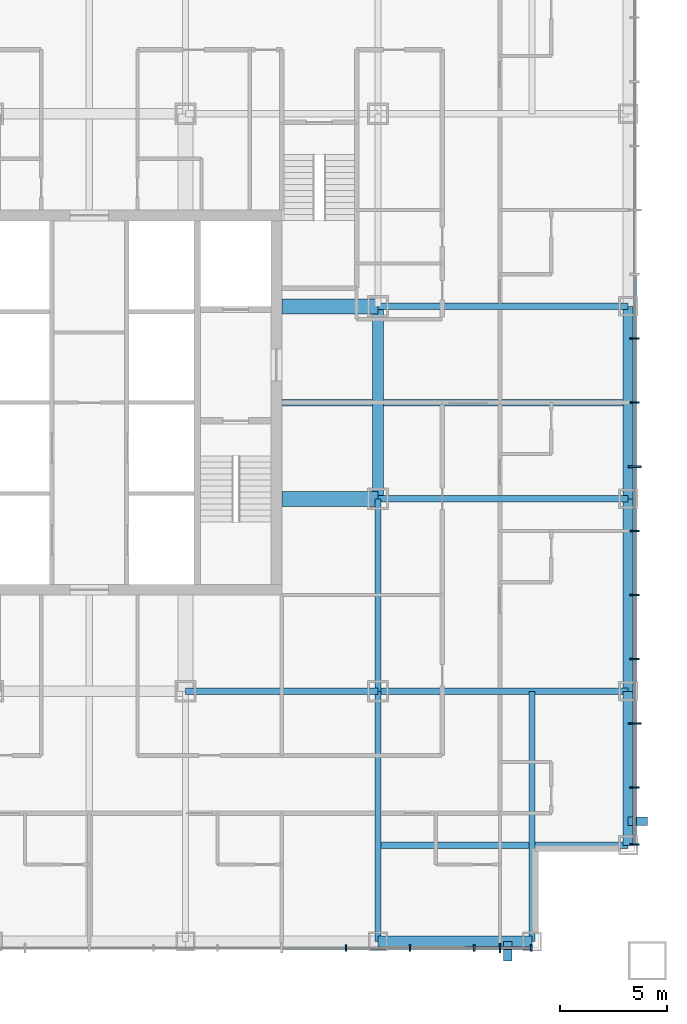
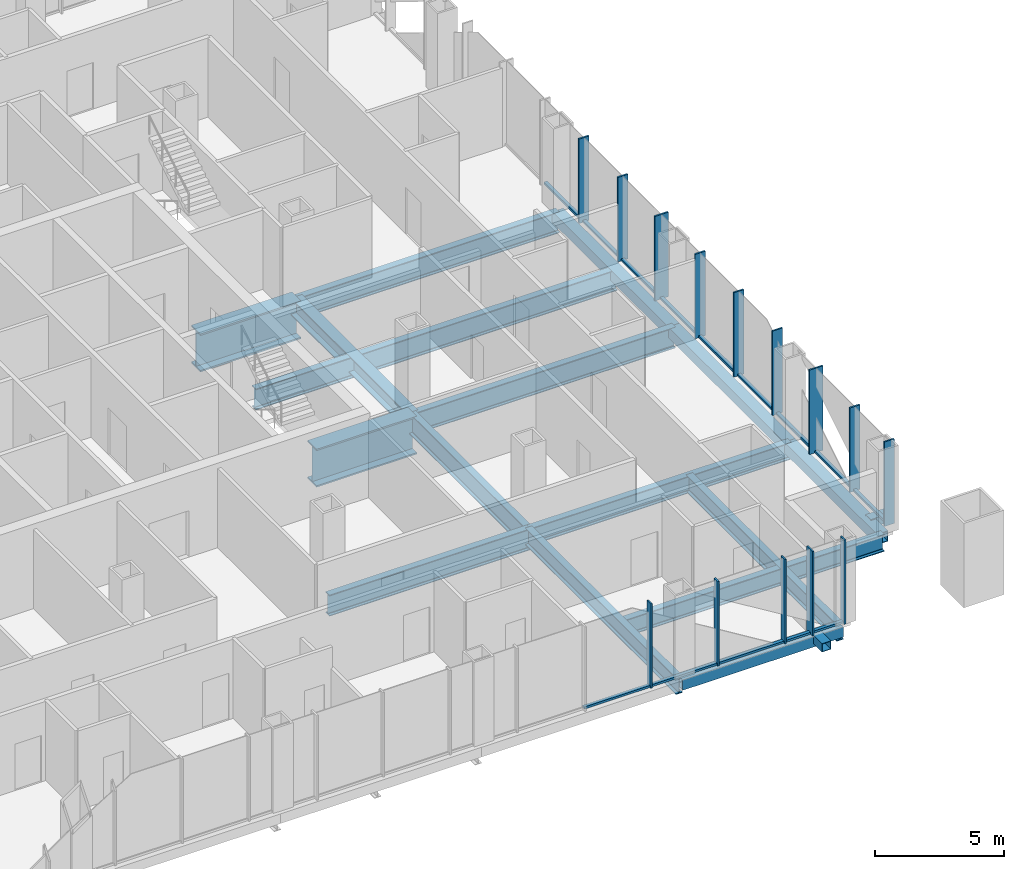
# One storey, part 3 of 13: 30 members, 16 beams, 2 elements without a shape of their own.
"""IFC4 building model written with IfcOpenShell, lengths in metres."""

from ifc_helpers import new_model, si_unit, direction, frame, origin, origin_2d, place, context, subcontext, project, spatial, rectangle, hollow_rectangle, i_section, extrude, material, layer, layer_set, material_profile, profile_set, type_object, element, aggregate, save


model = new_model("IFC4")

# Units and contexts
model_context = context("Model", 3, precision=1e-05, world=origin(), true_north=direction((0.0, 1.0)))
body_context = subcontext(model_context, "Body", "Model", "MODEL_VIEW")
ifc_project = project(units=[si_unit("LENGTHUNIT", "METRE"), si_unit("AREAUNIT", "SQUARE_METRE"), si_unit("VOLUMEUNIT", "CUBIC_METRE"), si_unit("PLANEANGLEUNIT", "RADIAN"), si_unit("MASSUNIT", "GRAM", prefix="KILO")], contexts=[model_context])

# Site, building, storey
site_placement = place(None, origin())
site = spatial("IfcSite", under=ifc_project, at=site_placement, CompositionType="ELEMENT")
building_placement = place(site_placement, origin())
building = spatial("IfcBuilding", under=site, at=building_placement, Name="Malebo Sky Hospital", CompositionType="ELEMENT")
storey_placement = place(building_placement, frame((0.0, 0.0, 67.0)))
storey = spatial("IfcBuildingStorey", under=building, at=storey_placement, Name="L15", CompositionType="ELEMENT", Elevation=67.0)

# Curtain wall, members
ifc_material_1 = material(Name="Anodised aluminium, natural silver", Category="aluminium")
ifc_layer_1 = layer(ifc_material_1, 0.25)
ifc_layer_set_1 = layer_set([ifc_layer_1], Name="WARD CURTAIN WALL NORTH AND SOUTH")
curtain_wall_type_1 = type_object("IfcCurtainWallType", Name="WARD CURTAIN WALL NORTH AND SOUTH", PredefinedType="NOTDEFINED", material=ifc_layer_set_1)
curtain_wall_1_placement = place(storey_placement, origin())
curtain_wall_1 = element("IfcCurtainWall", 1, at=curtain_wall_1_placement, inside=storey, type_object=curtain_wall_type_1, Name="NS curtain wall S", PredefinedType="NOTDEFINED")
ifc_material_profile_1 = material_profile(ifc_material_1, rectangle(XDim=0.14990234375, YDim=0.10009765625, at=origin_2d()), Name="ALUMINIUM TRANSOM 150x100")
ifc_profile_set_1 = profile_set([ifc_material_profile_1], Name="Anodised aluminium, natural silver")
member_type_1 = type_object("IfcMemberType", Name="ALUMINIUM TRANSOM 150x100", PredefinedType="USERDEFINED", material=ifc_profile_set_1)
member_1_placement = place(storey_placement, frame((80.625, 36.5, 0.050048828125), z_axis=(-1.0, 0.0, 0.0), x_axis=(0.0, -1.0, 0.0)))
member_1 = element("IfcMember", 2, at=member_1_placement, type_object=member_type_1, Name="Transom 1", ObjectType="TRANSOM", PredefinedType="USERDEFINED", context=body_context, shape_type="SweptSolid", body=[
    extrude(rectangle(XDim=0.14990234375, YDim=0.10009765625, at=origin_2d()), origin(), (0.0, 0.0, 1.0), 1.387451171875),
])
member_2_placement = place(storey_placement, frame((79.16259765625, 36.5, 0.050048828125), z_axis=(-1.0, 0.0, 0.0), x_axis=(0.0, -1.0, 0.0)))
member_2 = element("IfcMember", 3, at=member_2_placement, type_object=member_type_1, Name="Transom 2", ObjectType="TRANSOM", PredefinedType="USERDEFINED", context=body_context, shape_type="SweptSolid", body=[
    extrude(rectangle(XDim=0.14990234375, YDim=0.10009765625, at=origin_2d()), origin(), (0.0, 0.0, 1.0), 1.125),
])
member_3_placement = place(storey_placement, frame((77.96240234375, 36.5, 0.050048828125), z_axis=(-1.0, 0.0, 0.0), x_axis=(0.0, -1.0, 0.0)))
member_3 = element("IfcMember", 4, at=member_3_placement, type_object=member_type_1, Name="Transom 3", ObjectType="TRANSOM", PredefinedType="USERDEFINED", context=body_context, shape_type="SweptSolid", body=[
    extrude(rectangle(XDim=0.14990234375, YDim=0.10009765625, at=origin_2d()), origin(), (0.0, 0.0, 1.0), 2.9248046875),
])
member_4_placement = place(storey_placement, frame((74.96240234375, 36.5, 0.050048828125), z_axis=(-1.0, 0.0, 0.0), x_axis=(0.0, -1.0, 0.0)))
member_4 = element("IfcMember", 5, at=member_4_placement, type_object=member_type_1, Name="Transom 4", ObjectType="TRANSOM", PredefinedType="USERDEFINED", context=body_context, shape_type="SweptSolid", body=[
    extrude(rectangle(XDim=0.14990234375, YDim=0.10009765625, at=origin_2d()), origin(), (0.0, 0.0, 1.0), 2.9248046875),
])
member_5_placement = place(storey_placement, frame((71.96240234375, 36.5, 0.050048828125), z_axis=(-1.0, 0.0, 0.0), x_axis=(0.0, -1.0, 0.0)))
member_5 = element("IfcMember", 6, at=member_5_placement, type_object=member_type_1, Name="Transom 5", ObjectType="TRANSOM", PredefinedType="USERDEFINED", context=body_context, shape_type="SweptSolid", body=[
    extrude(rectangle(XDim=0.14990234375, YDim=0.10009765625, at=origin_2d()), origin(), (0.0, 0.0, 1.0), 2.9248046875),
])

ifc_layer_2 = layer(ifc_material_1, 0.25)
ifc_layer_set_2 = layer_set([ifc_layer_2], Name="WARD CURTAIN WALL EAST AND WEST")
curtain_wall_type_2 = type_object("IfcCurtainWallType", Name="WARD CURTAIN WALL EAST AND WEST", PredefinedType="NOTDEFINED", material=ifc_layer_set_2)
curtain_wall_2_placement = place(storey_placement, origin())
curtain_wall_2 = element("IfcCurtainWall", 7, at=curtain_wall_2_placement, inside=storey, type_object=curtain_wall_type_2, Name="EW curtain wall E", PredefinedType="NOTDEFINED")
member_6_placement = place(storey_placement, frame((85.5, 67.96240234375, 0.050048828125), z_axis=(0.0, -1.0, 0.0), x_axis=(1.0, 0.0, 0.0)))
member_6 = element("IfcMember", 8, at=member_6_placement, type_object=member_type_1, Name="Transom 7", ObjectType="TRANSOM", PredefinedType="USERDEFINED", context=body_context, shape_type="SweptSolid", body=[
    extrude(rectangle(XDim=0.14990234375, YDim=0.10009765625, at=origin_2d()), origin(), (0.0, 0.0, 1.0), 2.9248046875),
])
member_7_placement = place(storey_placement, frame((85.5, 64.96240234375, 0.050048828125), z_axis=(0.0, -1.0, 0.0), x_axis=(1.0, 0.0, 0.0)))
member_7 = element("IfcMember", 9, at=member_7_placement, type_object=member_type_1, Name="Transom 8", ObjectType="TRANSOM", PredefinedType="USERDEFINED", context=body_context, shape_type="SweptSolid", body=[
    extrude(rectangle(XDim=0.14990234375, YDim=0.10009765625, at=origin_2d()), origin(), (0.0, 0.0, 1.0), 2.9248046875),
])
member_8_placement = place(storey_placement, frame((85.5, 61.96240234375, 0.050048828125), z_axis=(0.0, -1.0, 0.0), x_axis=(1.0, 0.0, 0.0)))
member_8 = element("IfcMember", 10, at=member_8_placement, type_object=member_type_1, Name="Transom 9", ObjectType="TRANSOM", PredefinedType="USERDEFINED", context=body_context, shape_type="SweptSolid", body=[
    extrude(rectangle(XDim=0.14990234375, YDim=0.10009765625, at=origin_2d()), origin(), (0.0, 0.0, 1.0), 2.9248046875),
])
member_9_placement = place(storey_placement, frame((85.5, 58.96240234375, 0.050048828125), z_axis=(0.0, -1.0, 0.0), x_axis=(1.0, 0.0, 0.0)))
member_9 = element("IfcMember", 11, at=member_9_placement, type_object=member_type_1, Name="Transom 10", ObjectType="TRANSOM", PredefinedType="USERDEFINED", context=body_context, shape_type="SweptSolid", body=[
    extrude(rectangle(XDim=0.14990234375, YDim=0.10009765625, at=origin_2d()), origin(), (0.0, 0.0, 1.0), 2.9248046875),
])
member_10_placement = place(storey_placement, frame((85.5, 55.96240234375, 0.050048828125), z_axis=(0.0, -1.0, 0.0), x_axis=(1.0, 0.0, 0.0)))
member_10 = element("IfcMember", 12, at=member_10_placement, type_object=member_type_1, Name="Transom 11", ObjectType="TRANSOM", PredefinedType="USERDEFINED", context=body_context, shape_type="SweptSolid", body=[
    extrude(rectangle(XDim=0.14990234375, YDim=0.10009765625, at=origin_2d()), origin(), (0.0, 0.0, 1.0), 2.9248046875),
])
member_11_placement = place(storey_placement, frame((85.5, 52.96240234375, 0.050048828125), z_axis=(0.0, -1.0, 0.0), x_axis=(1.0, 0.0, 0.0)))
member_11 = element("IfcMember", 13, at=member_11_placement, type_object=member_type_1, Name="Transom 12", ObjectType="TRANSOM", PredefinedType="USERDEFINED", context=body_context, shape_type="SweptSolid", body=[
    extrude(rectangle(XDim=0.14990234375, YDim=0.10009765625, at=origin_2d()), origin(), (0.0, 0.0, 1.0), 2.9248046875),
])
member_12_placement = place(storey_placement, frame((85.5, 49.96240234375, 0.050048828125), z_axis=(0.0, -1.0, 0.0), x_axis=(1.0, 0.0, 0.0)))
member_12 = element("IfcMember", 14, at=member_12_placement, type_object=member_type_1, Name="Transom 13", ObjectType="TRANSOM", PredefinedType="USERDEFINED", context=body_context, shape_type="SweptSolid", body=[
    extrude(rectangle(XDim=0.14990234375, YDim=0.10009765625, at=origin_2d()), origin(), (0.0, 0.0, 1.0), 2.9248046875),
])
member_13_placement = place(storey_placement, frame((85.5, 46.96240234375, 0.050048828125), z_axis=(0.0, -1.0, 0.0), x_axis=(1.0, 0.0, 0.0)))
member_13 = element("IfcMember", 15, at=member_13_placement, type_object=member_type_1, Name="Transom 14", ObjectType="TRANSOM", PredefinedType="USERDEFINED", context=body_context, shape_type="SweptSolid", body=[
    extrude(rectangle(XDim=0.14990234375, YDim=0.10009765625, at=origin_2d()), origin(), (0.0, 0.0, 1.0), 2.9248046875),
])
member_14_placement = place(storey_placement, frame((85.5, 43.96240234375, 0.050048828125), z_axis=(0.0, -1.0, 0.0), x_axis=(1.0, 0.0, 0.0)))
member_14 = element("IfcMember", 16, at=member_14_placement, type_object=member_type_1, Name="Transom 15", ObjectType="TRANSOM", PredefinedType="USERDEFINED", context=body_context, shape_type="SweptSolid", body=[
    extrude(rectangle(XDim=0.14990234375, YDim=0.10009765625, at=origin_2d()), origin(), (0.0, 0.0, 1.0), 2.58740234375),
])

# Members
ifc_material_2 = material(Name="Steel S355", Category="steel")
ifc_material_profile_2 = material_profile(ifc_material_2, hollow_rectangle(XDim=0.39990234375, YDim=0.39990234375, WallThickness=0.02001953125, at=origin_2d()), Name="SHS 400x20")
ifc_profile_set_2 = profile_set([ifc_material_profile_2], Name="Steel S355")
member_type_2 = type_object("IfcMemberType", Name="BRACE STRUT SHS 400x20", PredefinedType="STRUT", material=ifc_profile_set_2)
for number, where, z_axis, x_axis, name in (
    (17, (79.574951171875, 35.89990234375, -0.39990234375), (0.0, 1.0, 0.0), (-1.0, 0.0, 0.0), "Brace strut AS2 L15"),
    (18, (86.10009765625, 42.425048828125, -0.39990234375), (-1.0, 0.0, 0.0), (0.0, -1.0, 0.0), "Brace strut AE1 L15"),
):
    element("IfcMember", number, at=place(storey_placement, frame(where, z_axis=z_axis, x_axis=x_axis)), inside=storey, type_object=member_type_2, Name=name, PredefinedType="STRUT", context=body_context, shape_type="SweptSolid", body=[
        extrude(hollow_rectangle(XDim=0.39990234375, YDim=0.39990234375, WallThickness=0.02001953125, at=origin_2d()), origin(), (0.0, 0.0, 1.0), 0.900146484375),
    ])

# Member
ifc_material_profile_3 = material_profile(ifc_material_1, rectangle(XDim=0.074951171875, YDim=0.300048828125, at=origin_2d()), Name="CW1 ALUMINIUM FIN MULLION 75x300")
ifc_profile_set_3 = profile_set([ifc_material_profile_3], Name="Anodised aluminium, natural silver")
member_type_3 = type_object("IfcMemberType", Name="CW1 ALUMINIUM FIN MULLION 75x300", PredefinedType="MULLION", material=ifc_profile_set_3)
member_15_placement = place(storey_placement, frame((80.66259765625, 36.5, 0.0), z_axis=(0.0, 0.0, 1.0), x_axis=(-1.0, 0.0, 0.0)))
member_15 = element("IfcMember", 19, at=member_15_placement, type_object=member_type_3, Name="Fin mullion 1", PredefinedType="MULLION", context=body_context, shape_type="SweptSolid", body=[
    extrude(rectangle(XDim=0.074951171875, YDim=0.300048828125, at=origin_2d()), origin(), (0.0, 0.0, 1.0), 4.0),
])

member_16_placement = place(storey_placement, frame((78.0, 36.5, 0.0), z_axis=(0.0, 0.0, 1.0), x_axis=(-1.0, 0.0, 0.0)))
member_16 = element("IfcMember", 20, at=member_16_placement, type_object=member_type_3, Name="Fin mullion 3", PredefinedType="MULLION", context=body_context, shape_type="SweptSolid", body=[
    extrude(rectangle(XDim=0.074951171875, YDim=0.300048828125, at=origin_2d()), origin(), (0.0, 0.0, 1.0), 4.0),
])

member_17_placement = place(storey_placement, frame((75.0, 36.5, 0.0), z_axis=(0.0, 0.0, 1.0), x_axis=(-1.0, 0.0, 0.0)))
member_17 = element("IfcMember", 21, at=member_17_placement, type_object=member_type_3, Name="Fin mullion 4", PredefinedType="MULLION", context=body_context, shape_type="SweptSolid", body=[
    extrude(rectangle(XDim=0.074951171875, YDim=0.300048828125, at=origin_2d()), origin(), (0.0, 0.0, 1.0), 4.0),
])

member_18_placement = place(storey_placement, frame((72.0, 36.5, 0.0), z_axis=(0.0, 0.0, 1.0), x_axis=(-1.0, 0.0, 0.0)))
member_18 = element("IfcMember", 22, at=member_18_placement, type_object=member_type_3, Name="Fin mullion 5", PredefinedType="MULLION", context=body_context, shape_type="SweptSolid", body=[
    extrude(rectangle(XDim=0.074951171875, YDim=0.300048828125, at=origin_2d()), origin(), (0.0, 0.0, 1.0), 4.0),
])

ifc_material_profile_4 = material_profile(ifc_material_1, rectangle(XDim=0.074951171875, YDim=0.449951171875, at=origin_2d()), Name="CW1 ALUMINIUM FIN MULLION 75x450")
ifc_profile_set_4 = profile_set([ifc_material_profile_4], Name="Anodised aluminium, natural silver")
member_type_4 = type_object("IfcMemberType", Name="CW1 ALUMINIUM FIN MULLION 75x450", PredefinedType="MULLION", material=ifc_profile_set_4)
member_19_placement = place(storey_placement, frame((79.199951171875, 36.5, 0.0), z_axis=(0.0, 0.0, 1.0), x_axis=(-1.0, 0.0, 0.0)))
member_19 = element("IfcMember", 23, at=member_19_placement, type_object=member_type_4, Name="Fin mullion 2", PredefinedType="MULLION", context=body_context, shape_type="SweptSolid", body=[
    extrude(rectangle(XDim=0.074951171875, YDim=0.449951171875, at=origin_2d()), origin(), (0.0, 0.0, 1.0), 4.0),
])

aggregate(curtain_wall_1, [member_15, member_19, member_16, member_17, member_18, member_1, member_2, member_3, member_4, member_5])

ifc_material_profile_5 = material_profile(ifc_material_1, rectangle(XDim=0.074951171875, YDim=0.449951171875, at=origin_2d()), Name="CW2 ALUMINIUM FIN MULLION 75x450")
ifc_profile_set_5 = profile_set([ifc_material_profile_5], Name="Anodised aluminium, natural silver")
member_type_5 = type_object("IfcMemberType", Name="CW2 ALUMINIUM FIN MULLION 75x450", PredefinedType="MULLION", material=ifc_profile_set_5)
member_20_placement = place(storey_placement, frame((85.5, 65.0, 0.0), z_axis=(0.0, 0.0, 1.0), x_axis=(0.0, -1.0, 0.0)))
member_20 = element("IfcMember", 24, at=member_20_placement, type_object=member_type_5, Name="Fin mullion 8", PredefinedType="MULLION", context=body_context, shape_type="SweptSolid", body=[
    extrude(rectangle(XDim=0.074951171875, YDim=0.449951171875, at=origin_2d()), origin(), (0.0, 0.0, 1.0), 4.0),
])

member_21_placement = place(storey_placement, frame((85.5, 62.0, 0.0), z_axis=(0.0, 0.0, 1.0), x_axis=(0.0, -1.0, 0.0)))
member_21 = element("IfcMember", 25, at=member_21_placement, type_object=member_type_5, Name="Fin mullion 9", PredefinedType="MULLION", context=body_context, shape_type="SweptSolid", body=[
    extrude(rectangle(XDim=0.074951171875, YDim=0.449951171875, at=origin_2d()), origin(), (0.0, 0.0, 1.0), 4.0),
])

member_22_placement = place(storey_placement, frame((85.5, 56.0, 0.0), z_axis=(0.0, 0.0, 1.0), x_axis=(0.0, -1.0, 0.0)))
member_22 = element("IfcMember", 26, at=member_22_placement, type_object=member_type_5, Name="Fin mullion 11", PredefinedType="MULLION", context=body_context, shape_type="SweptSolid", body=[
    extrude(rectangle(XDim=0.074951171875, YDim=0.449951171875, at=origin_2d()), origin(), (0.0, 0.0, 1.0), 4.0),
])

member_23_placement = place(storey_placement, frame((85.5, 53.0, 0.0), z_axis=(0.0, 0.0, 1.0), x_axis=(0.0, -1.0, 0.0)))
member_23 = element("IfcMember", 27, at=member_23_placement, type_object=member_type_5, Name="Fin mullion 12", PredefinedType="MULLION", context=body_context, shape_type="SweptSolid", body=[
    extrude(rectangle(XDim=0.074951171875, YDim=0.449951171875, at=origin_2d()), origin(), (0.0, 0.0, 1.0), 4.0),
])

member_24_placement = place(storey_placement, frame((85.5, 50.0, 0.0), z_axis=(0.0, 0.0, 1.0), x_axis=(0.0, -1.0, 0.0)))
member_24 = element("IfcMember", 28, at=member_24_placement, type_object=member_type_5, Name="Fin mullion 13", PredefinedType="MULLION", context=body_context, shape_type="SweptSolid", body=[
    extrude(rectangle(XDim=0.074951171875, YDim=0.449951171875, at=origin_2d()), origin(), (0.0, 0.0, 1.0), 4.0),
])

member_25_placement = place(storey_placement, frame((85.5, 44.0, 0.0), z_axis=(0.0, 0.0, 1.0), x_axis=(0.0, -1.0, 0.0)))
member_25 = element("IfcMember", 29, at=member_25_placement, type_object=member_type_5, Name="Fin mullion 15", PredefinedType="MULLION", context=body_context, shape_type="SweptSolid", body=[
    extrude(rectangle(XDim=0.074951171875, YDim=0.449951171875, at=origin_2d()), origin(), (0.0, 0.0, 1.0), 4.0),
])

member_26_placement = place(storey_placement, frame((85.5, 41.33740234375, 0.0), z_axis=(0.0, 0.0, 1.0), x_axis=(0.0, -1.0, 0.0)))
member_26 = element("IfcMember", 30, at=member_26_placement, type_object=member_type_5, Name="Fin mullion 16", PredefinedType="MULLION", context=body_context, shape_type="SweptSolid", body=[
    extrude(rectangle(XDim=0.074951171875, YDim=0.449951171875, at=origin_2d()), origin(), (0.0, 0.0, 1.0), 4.0),
])

ifc_material_profile_6 = material_profile(ifc_material_1, rectangle(XDim=0.074951171875, YDim=0.60009765625, at=origin_2d()), Name="CW2 ALUMINIUM FIN MULLION 75x600")
ifc_profile_set_6 = profile_set([ifc_material_profile_6], Name="Anodised aluminium, natural silver")
member_type_6 = type_object("IfcMemberType", Name="CW2 ALUMINIUM FIN MULLION 75x600", PredefinedType="MULLION", material=ifc_profile_set_6)
member_27_placement = place(storey_placement, frame((85.5, 59.0, 0.0), z_axis=(0.0, 0.0, 1.0), x_axis=(0.0, -1.0, 0.0)))
member_27 = element("IfcMember", 31, at=member_27_placement, type_object=member_type_6, Name="Fin mullion 10", PredefinedType="MULLION", context=body_context, shape_type="SweptSolid", body=[
    extrude(rectangle(XDim=0.074951171875, YDim=0.60009765625, at=origin_2d()), origin(), (0.0, 0.0, 1.0), 4.0),
])

member_28_placement = place(storey_placement, frame((85.5, 47.0, 0.0), z_axis=(0.0, 0.0, 1.0), x_axis=(0.0, -1.0, 0.0)))
member_28 = element("IfcMember", 32, at=member_28_placement, type_object=member_type_6, Name="Fin mullion 14", PredefinedType="MULLION", context=body_context, shape_type="SweptSolid", body=[
    extrude(rectangle(XDim=0.074951171875, YDim=0.60009765625, at=origin_2d()), origin(), (0.0, 0.0, 1.0), 4.0),
])

aggregate(curtain_wall_2, [member_20, member_21, member_27, member_22, member_23, member_24, member_28, member_25, member_26, member_6, member_7, member_8, member_9, member_10, member_11, member_12, member_13, member_14])

# Beams
ifc_material_3 = material(Name="Steel S460", Category="steel")
ifc_material_profile_7 = material_profile(ifc_material_3, hollow_rectangle(XDim=0.5, YDim=0.5, WallThickness=0.030029296875, at=origin_2d()), Name="BOX 500x500x30")
ifc_profile_set_7 = profile_set([ifc_material_profile_7], Name="Steel S460")
beam_type_1 = type_object("IfcBeamType", Name="EDGE BEAM BOX 500x500x30", PredefinedType="BEAM", material=ifc_profile_set_7)
beam_1_placement = place(storey_placement, frame((85.199951171875, 41.300048828125, -0.5), z_axis=(0.0, 1.0, 0.0), x_axis=(-1.0, 0.0, 0.0)))
element("IfcBeam", 33, at=beam_1_placement, inside=storey, type_object=beam_type_1, Name="Beam 029 L15", PredefinedType="BEAM", context=body_context, shape_type="SweptSolid", body=[
    extrude(hollow_rectangle(XDim=0.5, YDim=0.5, WallThickness=0.030029296875, at=origin_2d()), origin(), (0.0, 0.0, 1.0), 7.199951171875),
])
for number, where, z_axis, x_axis, name in (
    (34, (85.199951171875, 48.5, -0.5), (0.0, 1.0, 0.0), (-1.0, 0.0, 0.0), "Beam 030 L15"),
    (35, (85.199951171875, 57.5, -0.5), (0.0, 1.0, 0.0), (-1.0, 0.0, 0.0), "Beam 031 L15"),
):
    element("IfcBeam", number, at=place(storey_placement, frame(where, z_axis=z_axis, x_axis=x_axis)), inside=storey, type_object=beam_type_1, Name=name, PredefinedType="BEAM", context=body_context, shape_type="SweptSolid", body=[
        extrude(hollow_rectangle(XDim=0.5, YDim=0.5, WallThickness=0.030029296875, at=origin_2d()), origin(), (0.0, 0.0, 1.0), 9.0),
    ])
beam_2_placement = place(storey_placement, frame((73.5, 36.800048828125, -0.5), z_axis=(1.0, 0.0, 0.0), x_axis=(0.0, 1.0, 0.0)))
element("IfcBeam", 36, at=beam_2_placement, inside=storey, type_object=beam_type_1, Name="Beam 038 L15", PredefinedType="BEAM", context=body_context, shape_type="SweptSolid", body=[
    extrude(hollow_rectangle(XDim=0.5, YDim=0.5, WallThickness=0.030029296875, at=origin_2d()), origin(), (0.0, 0.0, 1.0), 7.199951171875),
])
ifc_material_profile_8 = material_profile(ifc_material_2, i_section(OverallWidth=0.300048828125, OverallDepth=1.0, WebThickness=0.01904296875, FlangeThickness=0.035888671875, FilletRadius=0.030029296875, at=origin_2d()), Name="HEB 1000")
ifc_profile_set_8 = profile_set([ifc_material_profile_8], Name="Steel S355")
beam_type_2 = type_object("IfcBeamType", Name="FLOOR BEAM HEB 1000", PredefinedType="BEAM", material=ifc_profile_set_8)
for number, where, z_axis, x_axis, name in (
    (37, (73.5, 48.5, -0.75), (0.0, 1.0, 0.0), (-1.0, 0.0, 0.0), "Beam 023 L15"),
    (38, (64.5, 48.5, -0.75), (1.0, 0.0, 0.0), (0.0, 1.0, 0.0), "Beam 044 L15"),
):
    element("IfcBeam", number, at=place(storey_placement, frame(where, z_axis=z_axis, x_axis=x_axis)), inside=storey, type_object=beam_type_2, Name=name, PredefinedType="BEAM", context=body_context, shape_type="SweptSolid", body=[
        extrude(i_section(OverallWidth=0.300048828125, OverallDepth=1.0, WebThickness=0.01904296875, FlangeThickness=0.035888671875, FilletRadius=0.030029296875, at=origin_2d()), origin(), (0.0, 0.0, 1.0), 9.0),
    ])
beam_3_placement = place(storey_placement, frame((73.5, 57.5, -0.75), z_axis=(1.0, 0.0, 0.0), x_axis=(0.0, 1.0, 0.0)))
element("IfcBeam", 39, at=beam_3_placement, inside=storey, type_object=beam_type_2, Name="Beam 049 L15", PredefinedType="BEAM", context=body_context, shape_type="SweptSolid", body=[
    extrude(i_section(OverallWidth=0.300048828125, OverallDepth=1.0, WebThickness=0.01904296875, FlangeThickness=0.035888671875, FilletRadius=0.030029296875, at=origin_2d()), origin(), (0.0, 0.0, 1.0), 11.699951171875),
])
beam_4_placement = place(storey_placement, frame((69.0, 62.0, -0.75), z_axis=(1.0, 0.0, 0.0), x_axis=(0.0, 1.0, 0.0)))
element("IfcBeam", 40, at=beam_4_placement, inside=storey, type_object=beam_type_2, Name="Beam 051 L15", PredefinedType="BEAM", context=body_context, shape_type="SweptSolid", body=[
    extrude(i_section(OverallWidth=0.300048828125, OverallDepth=1.0, WebThickness=0.01904296875, FlangeThickness=0.035888671875, FilletRadius=0.030029296875, at=origin_2d()), origin(), (0.0, 0.0, 1.0), 16.199951171875),
])
beam_5_placement = place(storey_placement, frame((73.5, 66.5, -0.75), z_axis=(1.0, 0.0, 0.0), x_axis=(0.0, 1.0, 0.0)))
element("IfcBeam", 41, at=beam_5_placement, inside=storey, type_object=beam_type_2, Name="Beam 055 L15", PredefinedType="BEAM", context=body_context, shape_type="SweptSolid", body=[
    extrude(i_section(OverallWidth=0.300048828125, OverallDepth=1.0, WebThickness=0.01904296875, FlangeThickness=0.035888671875, FilletRadius=0.030029296875, at=origin_2d()), origin(), (0.0, 0.0, 1.0), 11.699951171875),
])
ifc_material_profile_9 = material_profile(ifc_material_2, i_section(OverallWidth=0.300048828125, OverallDepth=0.800048828125, WebThickness=0.017578125, FlangeThickness=0.032958984375, FilletRadius=0.030029296875, at=origin_2d()), Name="HEB 800")
ifc_profile_set_9 = profile_set([ifc_material_profile_9], Name="Steel S355")
beam_type_3 = type_object("IfcBeamType", Name="FLOOR BEAM HEB 800", PredefinedType="BEAM", material=ifc_profile_set_9)
for number, where, z_axis, x_axis, name in (
    (42, (80.699951171875, 36.800048828125, -0.64990234375), (0.0, 1.0, 0.0), (-1.0, 0.0, 0.0), "Beam 027 L15"),
    (43, (73.5, 41.300048828125, -0.64990234375), (1.0, 0.0, 0.0), (0.0, 1.0, 0.0), "Beam 040 L15"),
):
    element("IfcBeam", number, at=place(storey_placement, frame(where, z_axis=z_axis, x_axis=x_axis)), inside=storey, type_object=beam_type_3, Name=name, PredefinedType="BEAM", context=body_context, shape_type="SweptSolid", body=[
        extrude(i_section(OverallWidth=0.300048828125, OverallDepth=0.800048828125, WebThickness=0.017578125, FlangeThickness=0.032958984375, FilletRadius=0.030029296875, at=origin_2d()), origin(), (0.0, 0.0, 1.0), 11.699951171875),
    ])
ifc_material_profile_10 = material_profile(ifc_material_2, i_section(OverallWidth=0.699951171875, OverallDepth=1.800048828125, WebThickness=0.034912109375, FlangeThickness=0.070068359375, at=origin_2d()), Name="PG 1800x700x35x70")
ifc_profile_set_10 = profile_set([ifc_material_profile_10], Name="Steel S355")
beam_type_4 = type_object("IfcBeamType", Name="FLOOR BEAM PG 1800x700x35x70", PredefinedType="BEAM", material=ifc_profile_set_10)
for number, where, z_axis, x_axis, name in (
    (44, (69.0, 57.5, -1.14990234375), (1.0, 0.0, 0.0), (0.0, 1.0, 0.0), "Beam 048 L15"),
    (45, (69.0, 66.5, -1.14990234375), (1.0, 0.0, 0.0), (0.0, 1.0, 0.0), "Beam 054 L15"),
):
    element("IfcBeam", number, at=place(storey_placement, frame(where, z_axis=z_axis, x_axis=x_axis)), inside=storey, type_object=beam_type_4, Name=name, PredefinedType="BEAM", context=body_context, shape_type="SweptSolid", body=[
        extrude(i_section(OverallWidth=0.699951171875, OverallDepth=1.800048828125, WebThickness=0.034912109375, FlangeThickness=0.070068359375, at=origin_2d()), origin(), (0.0, 0.0, 1.0), 4.5),
    ])
ifc_material_profile_11 = material_profile(ifc_material_2, i_section(OverallWidth=0.300048828125, OverallDepth=0.800048828125, WebThickness=0.017578125, FlangeThickness=0.032958984375, FilletRadius=0.030029296875, at=origin_2d()), Name="HEB 800")
ifc_profile_set_11 = profile_set([ifc_material_profile_11], Name="Steel S355")
beam_type_5 = type_object("IfcBeamType", Name="FLOOR GIRDER HEB 800", PredefinedType="BEAM", material=ifc_profile_set_11)
for number, where, z_axis, x_axis, name in (
    (46, (73.5, 36.800048828125, -0.64990234375), (0.0, 1.0, 0.0), (-1.0, 0.0, 0.0), "Beam 022 L15"),
    (47, (73.5, 48.5, -0.64990234375), (1.0, 0.0, 0.0), (0.0, 1.0, 0.0), "Beam 045 L15"),
):
    element("IfcBeam", number, at=place(storey_placement, frame(where, z_axis=z_axis, x_axis=x_axis)), inside=storey, type_object=beam_type_5, Name=name, PredefinedType="BEAM", context=body_context, shape_type="SweptSolid", body=[
        extrude(i_section(OverallWidth=0.300048828125, OverallDepth=0.800048828125, WebThickness=0.017578125, FlangeThickness=0.032958984375, FilletRadius=0.030029296875, at=origin_2d()), origin(), (0.0, 0.0, 1.0), 11.699951171875),
    ])
ifc_material_profile_12 = material_profile(ifc_material_2, i_section(OverallWidth=0.5, OverallDepth=0.800048828125, WebThickness=0.030029296875, FlangeThickness=0.050048828125, at=origin_2d()), Name="PG 800x500x30x50")
ifc_profile_set_12 = profile_set([ifc_material_profile_12], Name="Steel S355")
beam_type_6 = type_object("IfcBeamType", Name="RING GIRDER PG 800x500x30x50", PredefinedType="BEAM", material=ifc_profile_set_12)
beam_6_placement = place(storey_placement, frame((73.5, 57.5, -0.64990234375), z_axis=(0.0, 1.0, 0.0), x_axis=(-1.0, 0.0, 0.0)))
element("IfcBeam", 48, at=beam_6_placement, inside=storey, type_object=beam_type_6, Name="Beam 024 L15", PredefinedType="BEAM", context=body_context, shape_type="SweptSolid", body=[
    extrude(i_section(OverallWidth=0.5, OverallDepth=0.800048828125, WebThickness=0.030029296875, FlangeThickness=0.050048828125, at=origin_2d()), origin(), (0.0, 0.0, 1.0), 9.0),
])

save(model, "model.ifc")
